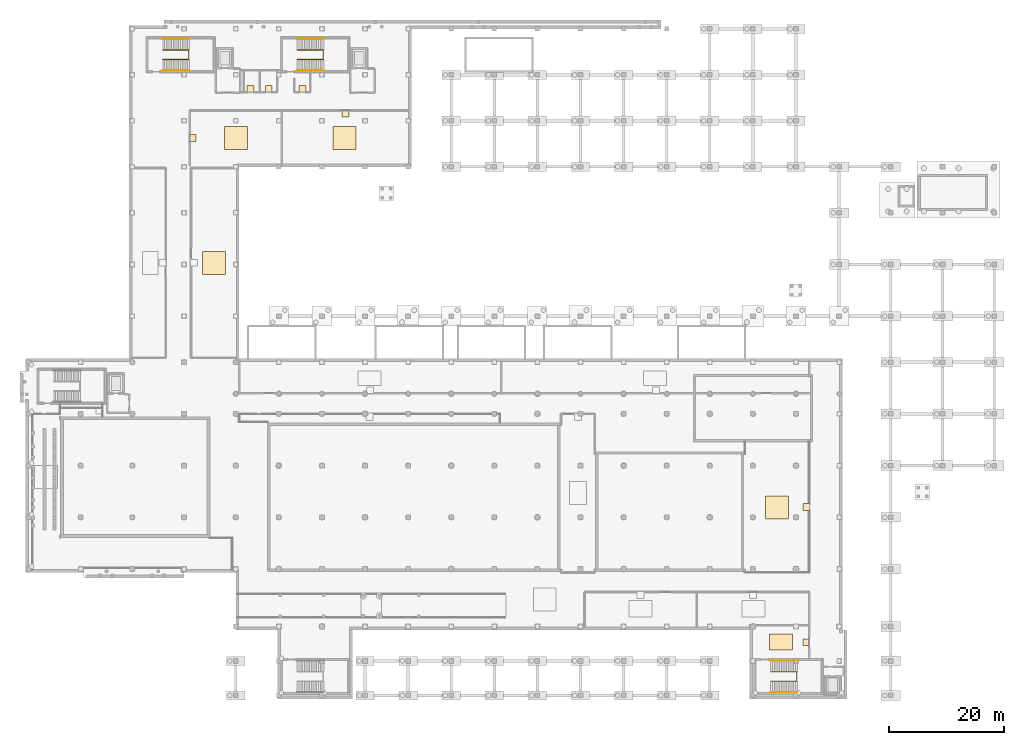
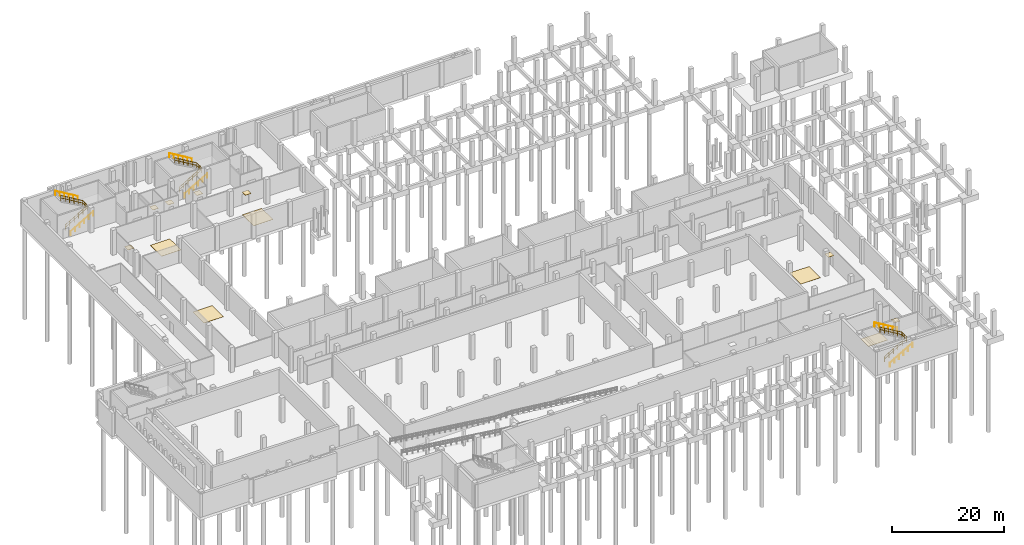
# One storey, part 18 of 19: 12 coverings, 9 railings.
"""IFC4 building model written with IfcOpenShell, lengths in metres."""

from ifc_helpers import new_model, si_unit, direction, frame, origin, origin_2d, place, context, subcontext, project, spatial, rectangle, circle, extrude, material, layer, layer_set, type_object, element, save


model = new_model("IFC4")

# Units and contexts
model_context = context("Model", 3, precision=1e-05, world=origin(), true_north=direction((0.0, 1.0)))
body_context = subcontext(model_context, "Body", "Model", "MODEL_VIEW")
ifc_project = project(units=[si_unit("LENGTHUNIT", "METRE"), si_unit("AREAUNIT", "SQUARE_METRE"), si_unit("VOLUMEUNIT", "CUBIC_METRE"), si_unit("PLANEANGLEUNIT", "RADIAN"), si_unit("MASSUNIT", "GRAM", prefix="KILO")], contexts=[model_context])

# Site, building, storey
site_placement = place(None, origin())
site = spatial("IfcSite", under=ifc_project, at=site_placement, CompositionType="ELEMENT")
building_placement = place(site_placement, origin())
building = spatial("IfcBuilding", under=site, at=building_placement, Name="Vourika Railside Aquatics Centre", CompositionType="ELEMENT")
storey_placement = place(building_placement, frame((0.0, 0.0, -5.39990234375)))
storey = spatial("IfcBuildingStorey", under=building, at=storey_placement, Name="B1", CompositionType="ELEMENT", Elevation=-5.39990234375)

# Coverings
ifc_material_1 = material(Name="Perforated moisture-resistant acoustic gypsum ceiling")
ifc_layer_1 = layer(ifc_material_1, 0.02490234375, Name="COV-CEIL-25")
ifc_layer_set_1 = layer_set([ifc_layer_1], Name="Perforated moisture-resistant acoustic gypsum ceiling")
covering_type_1 = type_object("IfcCoveringType", Name="COV-CEIL-25", PredefinedType="CEILING", material=ifc_layer_set_1)
for number, where, z_axis, x_axis, name in (
    (1, (38.544921875, 105.52001953125, 2.637451171875), (0.0, 0.0, 1.0), (1.0, 0.0, 0.0), "Basement Staff Male WC Acoustic Ceiling Panel"),
    (2, (41.735107421875, 105.52001953125, 2.637451171875), (0.0, 0.0, 1.0), (1.0, 0.0, 0.0), "Basement Staff Female WC Acoustic Ceiling Panel"),
    (3, (47.60009765625, 105.52001953125, 2.637451171875), (0.0, 0.0, 1.0), (1.0, 0.0, 0.0), "Basement Accessible WC Acoustic Ceiling Panel"),
    (4, (135.280029296875, 32.784912109375, 2.637451171875), (0.0, 0.0, 1.0), (1.0, 0.0, 0.0), "Training and Leisure Pool Filtration Hall Acoustic Ceiling Panel"),
    (5, (28.52001953125, 97.0, 2.637451171875), (0.0, 0.0, 1.0), (1.0, 0.0, 0.0), "High-Voltage Substation and Switchgear Hall Acoustic Ceiling Panel"),
    (6, (55.10009765625, 101.280029296875, 2.637451171875), (0.0, 0.0, 1.0), (1.0, 0.0, 0.0), "Monsoon Rainwater Treatment and Booster Plant Acoustic Ceiling Panel"),
    (7, (135.280029296875, 9.25, 2.637451171875), (0.0, 0.0, 1.0), (1.0, 0.0, 0.0), "South-East Standby Pump and Riser Room Acoustic Ceiling Panel"),
):
    element("IfcCovering", number, at=place(storey_placement, frame(where, z_axis=z_axis, x_axis=x_axis)), inside=storey, type_object=covering_type_1, Name=name, PredefinedType="CEILING", context=body_context, shape_type="SweptSolid", body=[
        extrude(rectangle(XDim=1.199951171875, YDim=1.199951171875, at=origin_2d()), origin(), (0.0, 0.0, 1.0), 0.02490234375),
    ])
ifc_material_2 = material(Name="Slip-resistant aqua ceramic sports flooring")
ifc_layer_2 = layer(ifc_material_2, 0.02001953125, Name="COV-FLOR-20")
ifc_layer_set_2 = layer_set([ifc_layer_2], Name="Slip-resistant aqua ceramic sports flooring")
covering_type_2 = type_object("IfcCoveringType", Name="COV-FLOR-20", PredefinedType="FLOORING", material=ifc_layer_set_2)
for number, where, z_axis, x_axis, name in (
    (8, (130.199951171875, 32.699951171875, 0.0), (0.0, 0.0, 1.0), (1.0, 0.0, 0.0), "Training and Leisure Pool Filtration Hall Sports Flooring Panel"),
    (9, (32.199951171875, 75.300048828125, 0.0), (0.0, 0.0, 1.0), (1.0, 0.0, 0.0), "District Chiller and Condenser Recovery Hall Sports Flooring Panel"),
    (10, (36.0, 97.0, 0.0), (0.0, 0.0, 1.0), (1.0, 0.0, 0.0), "High-Voltage Substation and Switchgear Hall Sports Flooring Panel"),
    (11, (54.89990234375, 97.0, 0.0), (0.0, 0.0, 1.0), (1.0, 0.0, 0.0), "Monsoon Rainwater Treatment and Booster Plant Sports Flooring Panel"),
):
    element("IfcCovering", number, at=place(storey_placement, frame(where, z_axis=z_axis, x_axis=x_axis)), inside=storey, type_object=covering_type_2, Name=name, PredefinedType="FLOORING", context=body_context, shape_type="SweptSolid", body=[
        extrude(rectangle(XDim=4.0, YDim=4.0, at=origin_2d()), origin(), (0.0, 0.0, 1.0), 0.02001953125),
    ])
covering_placement = place(storey_placement, frame((130.89990234375, 9.300048828125, 0.0), z_axis=(0.0, 0.0, 1.0), x_axis=(1.0, 0.0, 0.0)))
element("IfcCovering", 12, at=covering_placement, inside=storey, type_object=covering_type_2, Name="South-East Standby Pump and Riser Room Sports Flooring Panel", PredefinedType="FLOORING", context=body_context, shape_type="SweptSolid", body=[
    extrude(rectangle(XDim=4.0, YDim=2.699951171875, at=origin_2d()), origin(), (0.0, 0.0, 1.0), 0.02001953125),
])

# Railings
ifc_material_3 = material(Name="Duplex stainless steel EN 1.4462", Category="steel")
railing_type_1 = type_object("IfcRailingType", Name="RL-HAND-920", PredefinedType="HANDRAIL", material=ifc_material_3)
railing_1_placement = place(storey_placement, frame((23.300048828125, 108.760009765625, 0.0)))
element("IfcRailing", 13, at=railing_1_placement, inside=storey, type_object=railing_type_1, Name="Protected Exit Stair Core ST01 Lower Wall Handrail (B1)", PredefinedType="HANDRAIL", context=body_context, shape_type="SweptSolid", body=[
    extrude(circle(Radius=0.02392578125, at=origin_2d()), frame((0.0, 0.0, 0.89599609375), z_axis=(0.863369879101, 0.0, 0.504571552766), x_axis=(0.0, 1.0, 0.0)), (0.0, 0.0, 1.0), 5.35107421875),
    extrude(circle(Radius=0.02099609375, at=origin_2d()), origin(), (0.0, 0.0, 1.0), 0.871826171875),
    extrude(circle(Radius=0.02099609375, at=origin_2d()), frame((0.924072265625, 0.0, 0.5400390625)), (0.0, 0.0, 1.0), 0.871826171875),
    extrude(circle(Radius=0.02099609375, at=origin_2d()), frame((1.847900390625, 0.0, 1.080078125)), (0.0, 0.0, 1.0), 0.871826171875),
    extrude(circle(Radius=0.02099609375, at=origin_2d()), frame((2.77197265625, 0.0, 1.619873046875)), (0.0, 0.0, 1.0), 0.871826171875),
    extrude(circle(Radius=0.02099609375, at=origin_2d()), frame((3.69580078125, 0.0, 2.159912109375)), (0.0, 0.0, 1.0), 0.871826171875),
    extrude(circle(Radius=0.02099609375, at=origin_2d()), frame((4.619873046875, 0.0, 2.699951171875)), (0.0, 0.0, 1.0), 0.871826171875),
])
railing_2_placement = place(storey_placement, frame((27.919921875, 114.239990234375, 2.699951171875)))
element("IfcRailing", 14, at=railing_2_placement, inside=storey, type_object=railing_type_1, Name="Protected Exit Stair Core ST01 Upper Wall Handrail (B1)", PredefinedType="HANDRAIL", context=body_context, shape_type="SweptSolid", body=[
    extrude(circle(Radius=0.02392578125, at=origin_2d()), frame((0.0, 0.0, 0.89599609375), z_axis=(-0.863369879101, 0.0, 0.504571552766), x_axis=(0.0, -1.0, 0.0)), (0.0, 0.0, 1.0), 5.35107421875),
    extrude(circle(Radius=0.02099609375, at=origin_2d()), origin(), (0.0, 0.0, 1.0), 0.871826171875),
    extrude(circle(Radius=0.02099609375, at=origin_2d()), frame((-0.924072265625, 0.0, 0.5400390625)), (0.0, 0.0, 1.0), 0.871826171875),
    extrude(circle(Radius=0.02099609375, at=origin_2d()), frame((-1.847900390625, 0.0, 1.080078125)), (0.0, 0.0, 1.0), 0.871826171875),
    extrude(circle(Radius=0.02099609375, at=origin_2d()), frame((-2.77197265625, 0.0, 1.619873046875)), (0.0, 0.0, 1.0), 0.871826171875),
    extrude(circle(Radius=0.02099609375, at=origin_2d()), frame((-3.69580078125, 0.0, 2.159912109375)), (0.0, 0.0, 1.0), 0.871826171875),
    extrude(circle(Radius=0.02099609375, at=origin_2d()), frame((-4.619873046875, 0.0, 2.699951171875)), (0.0, 0.0, 1.0), 0.871826171875),
])
railing_3_placement = place(storey_placement, frame((46.699951171875, 108.760009765625, 0.0)))
element("IfcRailing", 15, at=railing_3_placement, inside=storey, type_object=railing_type_1, Name="Protected Exit Stair Core ST02 Lower Wall Handrail (B1)", PredefinedType="HANDRAIL", context=body_context, shape_type="SweptSolid", body=[
    extrude(circle(Radius=0.02392578125, at=origin_2d()), frame((0.0, 0.0, 0.89599609375), z_axis=(0.863381494303, 0.0, 0.504551677526), x_axis=(0.0, 1.0, 0.0)), (0.0, 0.0, 1.0), 5.35107421875),
    extrude(circle(Radius=0.02099609375, at=origin_2d()), origin(), (0.0, 0.0, 1.0), 0.871826171875),
    extrude(circle(Radius=0.02099609375, at=origin_2d()), frame((0.924072265625, 0.0, 0.5400390625)), (0.0, 0.0, 1.0), 0.871826171875),
    extrude(circle(Radius=0.02099609375, at=origin_2d()), frame((1.84814453125, 0.0, 1.080078125)), (0.0, 0.0, 1.0), 0.871826171875),
    extrude(circle(Radius=0.02099609375, at=origin_2d()), frame((2.77197265625, 0.0, 1.619873046875)), (0.0, 0.0, 1.0), 0.871826171875),
    extrude(circle(Radius=0.02099609375, at=origin_2d()), frame((3.696044921875, 0.0, 2.159912109375)), (0.0, 0.0, 1.0), 0.871826171875),
    extrude(circle(Radius=0.02099609375, at=origin_2d()), frame((4.6201171875, 0.0, 2.699951171875)), (0.0, 0.0, 1.0), 0.871826171875),
])
railing_4_placement = place(storey_placement, frame((51.320068359375, 114.239990234375, 2.699951171875)))
element("IfcRailing", 16, at=railing_4_placement, inside=storey, type_object=railing_type_1, Name="Protected Exit Stair Core ST02 Upper Wall Handrail (B1)", PredefinedType="HANDRAIL", context=body_context, shape_type="SweptSolid", body=[
    extrude(circle(Radius=0.02392578125, at=origin_2d()), frame((0.0, 0.0, 0.89599609375), z_axis=(-0.863381494303, 0.0, 0.504551677526), x_axis=(0.0, -1.0, 0.0)), (0.0, 0.0, 1.0), 5.35107421875),
    extrude(circle(Radius=0.02099609375, at=origin_2d()), origin(), (0.0, 0.0, 1.0), 0.871826171875),
    extrude(circle(Radius=0.02099609375, at=origin_2d()), frame((-0.924072265625, 0.0, 0.5400390625)), (0.0, 0.0, 1.0), 0.871826171875),
    extrude(circle(Radius=0.02099609375, at=origin_2d()), frame((-1.84814453125, 0.0, 1.080078125)), (0.0, 0.0, 1.0), 0.871826171875),
    extrude(circle(Radius=0.02099609375, at=origin_2d()), frame((-2.77197265625, 0.0, 1.619873046875)), (0.0, 0.0, 1.0), 0.871826171875),
    extrude(circle(Radius=0.02099609375, at=origin_2d()), frame((-3.696044921875, 0.0, 2.159912109375)), (0.0, 0.0, 1.0), 0.871826171875),
    extrude(circle(Radius=0.02099609375, at=origin_2d()), frame((-4.6201171875, 0.0, 2.699951171875)), (0.0, 0.0, 1.0), 0.871826171875),
])
railing_5_placement = place(storey_placement, frame((129.10009765625, 0.56005859375, 0.0)))
element("IfcRailing", 17, at=railing_5_placement, inside=storey, type_object=railing_type_1, Name="Protected Exit Stair Core ST06 Lower Wall Handrail (B1)", PredefinedType="HANDRAIL", context=body_context, shape_type="SweptSolid", body=[
    extrude(circle(Radius=0.02392578125, at=origin_2d()), frame((0.0, 0.0, 0.89599609375), z_axis=(0.863369879101, 0.0, 0.504571552766), x_axis=(0.0, 1.0, 0.0)), (0.0, 0.0, 1.0), 5.35107421875),
    extrude(circle(Radius=0.02099609375, at=origin_2d()), origin(), (0.0, 0.0, 1.0), 0.871826171875),
    extrude(circle(Radius=0.02099609375, at=origin_2d()), frame((0.924072265625, 0.0, 0.5400390625)), (0.0, 0.0, 1.0), 0.871826171875),
    extrude(circle(Radius=0.02099609375, at=origin_2d()), frame((1.847900390625, 0.0, 1.080078125)), (0.0, 0.0, 1.0), 0.871826171875),
    extrude(circle(Radius=0.02099609375, at=origin_2d()), frame((2.77197265625, 0.0, 1.619873046875)), (0.0, 0.0, 1.0), 0.871826171875),
    extrude(circle(Radius=0.02099609375, at=origin_2d()), frame((3.69580078125, 0.0, 2.159912109375)), (0.0, 0.0, 1.0), 0.871826171875),
    extrude(circle(Radius=0.02099609375, at=origin_2d()), frame((4.619873046875, 0.0, 2.699951171875)), (0.0, 0.0, 1.0), 0.871826171875),
])
railing_6_placement = place(storey_placement, frame((133.719970703125, 6.0400390625, 2.699951171875)))
element("IfcRailing", 18, at=railing_6_placement, inside=storey, type_object=railing_type_1, Name="Protected Exit Stair Core ST06 Upper Wall Handrail (B1)", PredefinedType="HANDRAIL", context=body_context, shape_type="SweptSolid", body=[
    extrude(circle(Radius=0.02392578125, at=origin_2d()), frame((0.0, 0.0, 0.89599609375), z_axis=(-0.863369879101, 0.0, 0.504571552766), x_axis=(0.0, -1.0, 0.0)), (0.0, 0.0, 1.0), 5.35107421875),
    extrude(circle(Radius=0.02099609375, at=origin_2d()), origin(), (0.0, 0.0, 1.0), 0.871826171875),
    extrude(circle(Radius=0.02099609375, at=origin_2d()), frame((-0.924072265625, 0.0, 0.5400390625)), (0.0, 0.0, 1.0), 0.871826171875),
    extrude(circle(Radius=0.02099609375, at=origin_2d()), frame((-1.847900390625, 0.0, 1.080078125)), (0.0, 0.0, 1.0), 0.871826171875),
    extrude(circle(Radius=0.02099609375, at=origin_2d()), frame((-2.77197265625, 0.0, 1.619873046875)), (0.0, 0.0, 1.0), 0.871826171875),
    extrude(circle(Radius=0.02099609375, at=origin_2d()), frame((-3.69580078125, 0.0, 2.159912109375)), (0.0, 0.0, 1.0), 0.871826171875),
    extrude(circle(Radius=0.02099609375, at=origin_2d()), frame((-4.619873046875, 0.0, 2.699951171875)), (0.0, 0.0, 1.0), 0.871826171875),
])
railing_type_2 = type_object("IfcRailingType", Name="RL-STAIR-1120", PredefinedType="BALUSTRADE", material=ifc_material_3)
railing_7_placement = place(storey_placement, frame((23.300048828125, 110.679931640625, 0.0)))
element("IfcRailing", 19, at=railing_7_placement, inside=storey, type_object=railing_type_2, Name="Protected Exit Stair Core ST01 Center Well Guard (B1)", PredefinedType="BALUSTRADE", context=body_context, shape_type="SweptSolid", body=[
    extrude(circle(Radius=0.02392578125, at=origin_2d()), frame((0.0, 0.0, 1.09619140625), z_axis=(0.858501873767, 0.0, 0.512810425731), x_axis=(0.0, 1.0, 0.0)), (0.0, 0.0, 1.0), 5.264892578125),
    extrude(circle(Radius=0.02392578125, at=origin_2d()), frame((0.0, 0.0, 0.56005859375), z_axis=(0.858501873767, 0.0, 0.512810425731), x_axis=(0.0, 1.0, 0.0)), (0.0, 0.0, 1.0), 5.264892578125),
    extrude(circle(Radius=0.02392578125, at=origin_2d()), frame((4.52001953125, 0.0, 3.7958984375), z_axis=(0.0, 1.0, 0.0), x_axis=(-1.0, 0.0, 0.0)), (0.0, 0.0, 1.0), 1.64013671875),
    extrude(circle(Radius=0.02392578125, at=origin_2d()), frame((4.52001953125, 0.0, 3.260009765625), z_axis=(0.0, 1.0, 0.0), x_axis=(-1.0, 0.0, 0.0)), (0.0, 0.0, 1.0), 1.64013671875),
    extrude(circle(Radius=0.02392578125, at=origin_2d()), frame((4.52001953125, 1.64013671875, 3.7958984375), z_axis=(-0.858501873767, 0.0, 0.512810425731), x_axis=(0.0, -1.0, 0.0)), (0.0, 0.0, 1.0), 5.264892578125),
    extrude(circle(Radius=0.02392578125, at=origin_2d()), frame((4.52001953125, 1.64013671875, 3.260009765625), z_axis=(-0.858501873767, 0.0, 0.512810425731), x_axis=(0.0, -1.0, 0.0)), (0.0, 0.0, 1.0), 5.264892578125),
    extrude(circle(Radius=0.02099609375, at=origin_2d()), origin(), (0.0, 0.0, 1.0), 1.072021484375),
    extrude(circle(Radius=0.02099609375, at=origin_2d()), frame((0.904052734375, 0.0, 0.5400390625)), (0.0, 0.0, 1.0), 1.072021484375),
    extrude(circle(Radius=0.02099609375, at=origin_2d()), frame((1.80810546875, 0.0, 1.080078125)), (0.0, 0.0, 1.0), 1.072021484375),
    extrude(circle(Radius=0.02099609375, at=origin_2d()), frame((2.7119140625, 0.0, 1.619873046875)), (0.0, 0.0, 1.0), 1.072021484375),
    extrude(circle(Radius=0.02099609375, at=origin_2d()), frame((3.615966796875, 0.0, 2.159912109375)), (0.0, 0.0, 1.0), 1.072021484375),
    extrude(circle(Radius=0.02099609375, at=origin_2d()), frame((4.52001953125, 0.0, 2.699951171875)), (0.0, 0.0, 1.0), 1.072021484375),
    extrude(circle(Radius=0.02099609375, at=origin_2d()), frame((4.52001953125, 0.820068359375, 2.699951171875)), (0.0, 0.0, 1.0), 1.072021484375),
    extrude(circle(Radius=0.02099609375, at=origin_2d()), frame((4.52001953125, 1.64013671875, 2.699951171875)), (0.0, 0.0, 1.0), 1.072021484375),
    extrude(circle(Radius=0.02099609375, at=origin_2d()), frame((3.615966796875, 1.64013671875, 3.239990234375)), (0.0, 0.0, 1.0), 1.072021484375),
    extrude(circle(Radius=0.02099609375, at=origin_2d()), frame((2.7119140625, 1.64013671875, 3.780029296875)), (0.0, 0.0, 1.0), 1.072021484375),
    extrude(circle(Radius=0.02099609375, at=origin_2d()), frame((1.80810546875, 1.64013671875, 4.31982421875)), (0.0, 0.0, 1.0), 1.072021484375),
    extrude(circle(Radius=0.02099609375, at=origin_2d()), frame((0.904052734375, 1.64013671875, 4.85986328125)), (0.0, 0.0, 1.0), 1.072021484375),
    extrude(circle(Radius=0.02099609375, at=origin_2d()), frame((0.0, 1.64013671875, 5.39990234375)), (0.0, 0.0, 1.0), 1.072021484375),
])
railing_8_placement = place(storey_placement, frame((46.699951171875, 110.679931640625, 0.0)))
element("IfcRailing", 20, at=railing_8_placement, inside=storey, type_object=railing_type_2, Name="Protected Exit Stair Core ST02 Center Well Guard (B1)", PredefinedType="BALUSTRADE", context=body_context, shape_type="SweptSolid", body=[
    extrude(circle(Radius=0.02392578125, at=origin_2d()), frame((0.0, 0.0, 1.09619140625), z_axis=(0.858501873767, 0.0, 0.512810425731), x_axis=(0.0, 1.0, 0.0)), (0.0, 0.0, 1.0), 5.264892578125),
    extrude(circle(Radius=0.02392578125, at=origin_2d()), frame((0.0, 0.0, 0.56005859375), z_axis=(0.858501873767, 0.0, 0.512810425731), x_axis=(0.0, 1.0, 0.0)), (0.0, 0.0, 1.0), 5.264892578125),
    extrude(circle(Radius=0.02392578125, at=origin_2d()), frame((4.52001953125, 0.0, 3.7958984375), z_axis=(0.0, 1.0, 0.0), x_axis=(-1.0, 0.0, 0.0)), (0.0, 0.0, 1.0), 1.64013671875),
    extrude(circle(Radius=0.02392578125, at=origin_2d()), frame((4.52001953125, 0.0, 3.260009765625), z_axis=(0.0, 1.0, 0.0), x_axis=(-1.0, 0.0, 0.0)), (0.0, 0.0, 1.0), 1.64013671875),
    extrude(circle(Radius=0.02392578125, at=origin_2d()), frame((4.52001953125, 1.64013671875, 3.7958984375), z_axis=(-0.858501873767, 0.0, 0.512810425731), x_axis=(0.0, -1.0, 0.0)), (0.0, 0.0, 1.0), 5.264892578125),
    extrude(circle(Radius=0.02392578125, at=origin_2d()), frame((4.52001953125, 1.64013671875, 3.260009765625), z_axis=(-0.858501873767, 0.0, 0.512810425731), x_axis=(0.0, -1.0, 0.0)), (0.0, 0.0, 1.0), 5.264892578125),
    extrude(circle(Radius=0.02099609375, at=origin_2d()), origin(), (0.0, 0.0, 1.0), 1.072021484375),
    extrude(circle(Radius=0.02099609375, at=origin_2d()), frame((0.904052734375, 0.0, 0.5400390625)), (0.0, 0.0, 1.0), 1.072021484375),
    extrude(circle(Radius=0.02099609375, at=origin_2d()), frame((1.80810546875, 0.0, 1.080078125)), (0.0, 0.0, 1.0), 1.072021484375),
    extrude(circle(Radius=0.02099609375, at=origin_2d()), frame((2.7119140625, 0.0, 1.619873046875)), (0.0, 0.0, 1.0), 1.072021484375),
    extrude(circle(Radius=0.02099609375, at=origin_2d()), frame((3.615966796875, 0.0, 2.159912109375)), (0.0, 0.0, 1.0), 1.072021484375),
    extrude(circle(Radius=0.02099609375, at=origin_2d()), frame((4.52001953125, 0.0, 2.699951171875)), (0.0, 0.0, 1.0), 1.072021484375),
    extrude(circle(Radius=0.02099609375, at=origin_2d()), frame((4.52001953125, 0.820068359375, 2.699951171875)), (0.0, 0.0, 1.0), 1.072021484375),
    extrude(circle(Radius=0.02099609375, at=origin_2d()), frame((4.52001953125, 1.64013671875, 2.699951171875)), (0.0, 0.0, 1.0), 1.072021484375),
    extrude(circle(Radius=0.02099609375, at=origin_2d()), frame((3.615966796875, 1.64013671875, 3.239990234375)), (0.0, 0.0, 1.0), 1.072021484375),
    extrude(circle(Radius=0.02099609375, at=origin_2d()), frame((2.7119140625, 1.64013671875, 3.780029296875)), (0.0, 0.0, 1.0), 1.072021484375),
    extrude(circle(Radius=0.02099609375, at=origin_2d()), frame((1.80810546875, 1.64013671875, 4.31982421875)), (0.0, 0.0, 1.0), 1.072021484375),
    extrude(circle(Radius=0.02099609375, at=origin_2d()), frame((0.904052734375, 1.64013671875, 4.85986328125)), (0.0, 0.0, 1.0), 1.072021484375),
    extrude(circle(Radius=0.02099609375, at=origin_2d()), frame((0.0, 1.64013671875, 5.39990234375)), (0.0, 0.0, 1.0), 1.072021484375),
])
railing_9_placement = place(storey_placement, frame((129.10009765625, 2.47998046875, 0.0)))
element("IfcRailing", 21, at=railing_9_placement, inside=storey, type_object=railing_type_2, Name="Protected Exit Stair Core ST06 Center Well Guard (B1)", PredefinedType="BALUSTRADE", context=body_context, shape_type="SweptSolid", body=[
    extrude(circle(Radius=0.02392578125, at=origin_2d()), frame((0.0, 0.0, 1.09619140625), z_axis=(0.858501873767, 0.0, 0.512810425731), x_axis=(0.0, 1.0, 0.0)), (0.0, 0.0, 1.0), 5.264892578125),
    extrude(circle(Radius=0.02392578125, at=origin_2d()), frame((0.0, 0.0, 0.56005859375), z_axis=(0.858501873767, 0.0, 0.512810425731), x_axis=(0.0, 1.0, 0.0)), (0.0, 0.0, 1.0), 5.264892578125),
    extrude(circle(Radius=0.02392578125, at=origin_2d()), frame((4.52001953125, 0.0, 3.7958984375), z_axis=(0.0, 1.0, 0.0), x_axis=(-1.0, 0.0, 0.0)), (0.0, 0.0, 1.0), 1.64013671875),
    extrude(circle(Radius=0.02392578125, at=origin_2d()), frame((4.52001953125, 0.0, 3.260009765625), z_axis=(0.0, 1.0, 0.0), x_axis=(-1.0, 0.0, 0.0)), (0.0, 0.0, 1.0), 1.64013671875),
    extrude(circle(Radius=0.02392578125, at=origin_2d()), frame((4.52001953125, 1.64013671875, 3.7958984375), z_axis=(-0.858501873767, 0.0, 0.512810425731), x_axis=(0.0, -1.0, 0.0)), (0.0, 0.0, 1.0), 5.264892578125),
    extrude(circle(Radius=0.02392578125, at=origin_2d()), frame((4.52001953125, 1.64013671875, 3.260009765625), z_axis=(-0.858501873767, 0.0, 0.512810425731), x_axis=(0.0, -1.0, 0.0)), (0.0, 0.0, 1.0), 5.264892578125),
    extrude(circle(Radius=0.02099609375, at=origin_2d()), origin(), (0.0, 0.0, 1.0), 1.072021484375),
    extrude(circle(Radius=0.02099609375, at=origin_2d()), frame((0.904052734375, 0.0, 0.5400390625)), (0.0, 0.0, 1.0), 1.072021484375),
    extrude(circle(Radius=0.02099609375, at=origin_2d()), frame((1.80810546875, 0.0, 1.080078125)), (0.0, 0.0, 1.0), 1.072021484375),
    extrude(circle(Radius=0.02099609375, at=origin_2d()), frame((2.7119140625, 0.0, 1.619873046875)), (0.0, 0.0, 1.0), 1.072021484375),
    extrude(circle(Radius=0.02099609375, at=origin_2d()), frame((3.615966796875, 0.0, 2.159912109375)), (0.0, 0.0, 1.0), 1.072021484375),
    extrude(circle(Radius=0.02099609375, at=origin_2d()), frame((4.52001953125, 0.0, 2.699951171875)), (0.0, 0.0, 1.0), 1.072021484375),
    extrude(circle(Radius=0.02099609375, at=origin_2d()), frame((4.52001953125, 0.820068359375, 2.699951171875)), (0.0, 0.0, 1.0), 1.072021484375),
    extrude(circle(Radius=0.02099609375, at=origin_2d()), frame((4.52001953125, 1.64013671875, 2.699951171875)), (0.0, 0.0, 1.0), 1.072021484375),
    extrude(circle(Radius=0.02099609375, at=origin_2d()), frame((3.615966796875, 1.64013671875, 3.239990234375)), (0.0, 0.0, 1.0), 1.072021484375),
    extrude(circle(Radius=0.02099609375, at=origin_2d()), frame((2.7119140625, 1.64013671875, 3.780029296875)), (0.0, 0.0, 1.0), 1.072021484375),
    extrude(circle(Radius=0.02099609375, at=origin_2d()), frame((1.80810546875, 1.64013671875, 4.31982421875)), (0.0, 0.0, 1.0), 1.072021484375),
    extrude(circle(Radius=0.02099609375, at=origin_2d()), frame((0.904052734375, 1.64013671875, 4.85986328125)), (0.0, 0.0, 1.0), 1.072021484375),
    extrude(circle(Radius=0.02099609375, at=origin_2d()), frame((0.0, 1.64013671875, 5.39990234375)), (0.0, 0.0, 1.0), 1.072021484375),
])

save(model, "model.ifc")
